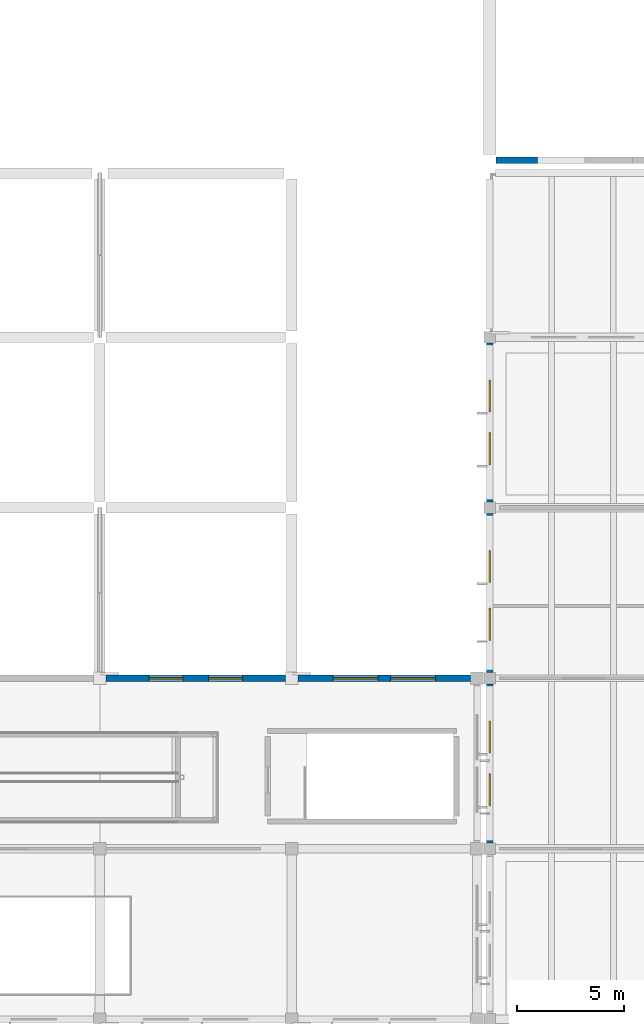
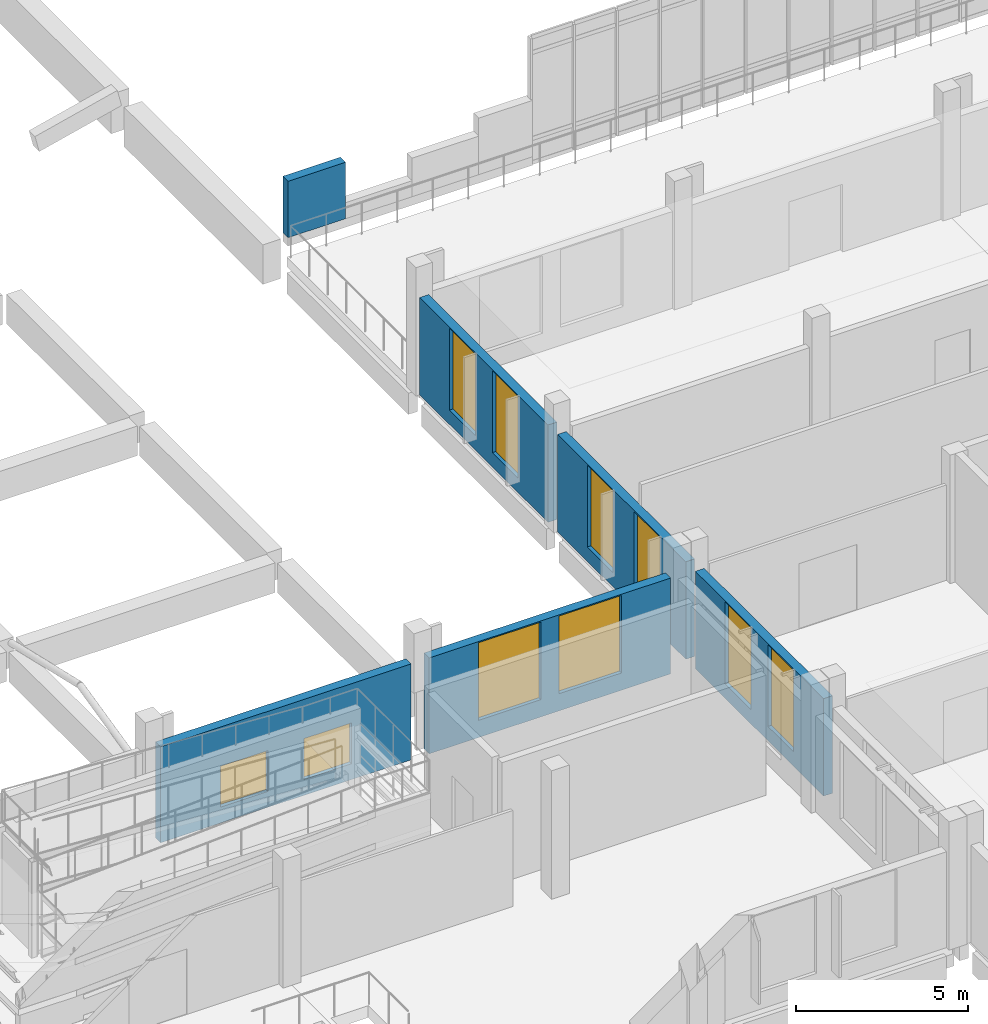
# One storey, part 36 of 63: 10 windows, 6 walls, 10 openings.
"""IFC4 building model written with IfcOpenShell, lengths in metres."""

from ifc_helpers import new_model, si_unit, direction, frame, frame_2d, origin, place, context, subcontext, project, spatial, rectangle, extrude, material, layer, layer_set, type_object, element, fill, save


model = new_model("IFC4")

# Units and contexts
model_context = context("Model", 3, precision=1e-05, world=origin(), true_north=direction((0.0, 1.0)))
body_context = subcontext(model_context, "Body", "Model", "MODEL_VIEW")
ifc_project = project(units=[si_unit("LENGTHUNIT", "METRE"), si_unit("AREAUNIT", "SQUARE_METRE"), si_unit("VOLUMEUNIT", "CUBIC_METRE"), si_unit("PLANEANGLEUNIT", "RADIAN"), si_unit("MASSUNIT", "GRAM", prefix="KILO")], contexts=[model_context])

# Site, building, storey
site_placement = place(None, origin())
site = spatial("IfcSite", under=ifc_project, at=site_placement, CompositionType="ELEMENT")
building_placement = place(site_placement, origin())
building = spatial("IfcBuilding", under=site, at=building_placement, Name="Zacnel Wholesale Market", CompositionType="ELEMENT")
storey_placement = place(building_placement, frame((0.0, 0.0, 11.199951171875)))
storey = spatial("IfcBuildingStorey", under=building, at=storey_placement, Name="L03", CompositionType="ELEMENT", Elevation=11.199951171875)

# Wall, openings, windows
ifc_material_1 = material(Name="Precast concrete C40/50 (Cancun limestone aggregate)", Category="masonry")
ifc_layer = layer(ifc_material_1, 0.300048828125)
ifc_layer_set = layer_set([ifc_layer], Name="Precast concrete C40/50 (Cancun limestone aggregate)")
wall_type = type_object("IfcWallType", Name="WL-EXT-LIME-300", PredefinedType="SOLIDWALL", material=ifc_layer_set)
wall_1_placement = place(storey_placement, frame((126.300048828125, 24.0, 0.0), z_axis=(0.0, 0.0, 1.0), x_axis=(1.0, 0.0, 0.0)))
wall_1 = element("IfcWall", 1, at=wall_1_placement, inside=storey, type_object=wall_type, Name="Exterior wall L03-0372", PredefinedType="SOLIDWALL", context=body_context, shape_type="SweptSolid", body=[
    extrude(rectangle(XDim=8.39990234375, YDim=0.300048828125, at=frame_2d((4.199951171875, 0.0))), origin(), (0.0, 0.0, 1.0), 3.400146484375),
])
opening_1_placement = place(wall_1_placement, frame((2.0, 0.0, 0.56005859375)))
opening_1 = element("IfcOpeningElement", 2, at=opening_1_placement, cuts=wall_1, Name="Opening W-06", PredefinedType="OPENING", context=body_context, shape_type="SweptSolid", body=[
    extrude(rectangle(XDim=1.60009765625, YDim=1.449951171875, at=frame_2d((0.800048828125, 0.72509765625))), frame((0.0, 0.159912109375, 0.0), z_axis=(0.0, -1.0, 0.0), x_axis=(1.0, 0.0, 0.0)), (0.0, 0.0, 1.0), 0.320068359375),
])
opening_2_placement = place(wall_1_placement, frame((4.800048828125, 0.0, 0.56005859375)))
opening_2 = element("IfcOpeningElement", 3, at=opening_2_placement, cuts=wall_1, Name="Opening W-06", PredefinedType="OPENING", context=body_context, shape_type="SweptSolid", body=[
    extrude(rectangle(XDim=1.60009765625, YDim=1.449951171875, at=frame_2d((0.800048828125, 0.72509765625))), frame((0.0, 0.159912109375, 0.0), z_axis=(0.0, -1.0, 0.0), x_axis=(1.0, 0.0, 0.0)), (0.0, 0.0, 1.0), 0.320068359375),
])
ifc_material_2 = material(Name="Laminated hurricane-impact low-E insulated glass", Category="glass")
window_type_1 = type_object("IfcWindowType", Name="WIN-HIG-1600X1450", PartitioningType="DOUBLE_PANEL_HORIZONTAL", PredefinedType="WINDOW", material=ifc_material_2)
window_1_placement = place(opening_1_placement, origin())
window_1 = element("IfcWindow", 4, at=window_1_placement, inside=storey, type_object=window_type_1, Name="Window L03-0375", OverallHeight=1.449951171875, OverallWidth=1.60009765625, PartitioningType="DOUBLE_PANEL_HORIZONTAL", PredefinedType="WINDOW", context=body_context, shape_type="SweptSolid", body=[
    extrude(rectangle(XDim=1.60009765625, YDim=1.449951171875, at=frame_2d((0.800048828125, 0.72509765625))), frame((0.0, 0.030029296875, 0.0), z_axis=(0.0, -1.0, 0.0), x_axis=(1.0, 0.0, 0.0)), (0.0, 0.0, 1.0), 0.06005859375),
])
fill(opening_1, window_1)
window_2_placement = place(opening_2_placement, origin())
window_2 = element("IfcWindow", 5, at=window_2_placement, inside=storey, type_object=window_type_1, Name="Window L03-0376", OverallHeight=1.449951171875, OverallWidth=1.60009765625, PartitioningType="DOUBLE_PANEL_HORIZONTAL", PredefinedType="WINDOW", context=body_context, shape_type="SweptSolid", body=[
    extrude(rectangle(XDim=1.60009765625, YDim=1.449951171875, at=frame_2d((0.800048828125, 0.72509765625))), frame((0.0, 0.030029296875, 0.0), z_axis=(0.0, -1.0, 0.0), x_axis=(1.0, 0.0, 0.0)), (0.0, 0.0, 1.0), 0.06005859375),
])
fill(opening_2, window_2)

wall_2_placement = place(storey_placement, frame((135.300048828125, 24.0, 0.0), z_axis=(0.0, 0.0, 1.0), x_axis=(1.0, 0.0, 0.0)))
wall_2 = element("IfcWall", 6, at=wall_2_placement, inside=storey, type_object=wall_type, Name="Exterior wall L03-0373", PredefinedType="SOLIDWALL", context=body_context, shape_type="SweptSolid", body=[
    extrude(rectangle(XDim=8.099853515625, YDim=0.300048828125, at=frame_2d((4.0498046875, 0.0))), origin(), (0.0, 0.0, 1.0), 3.400146484375),
])
opening_3_placement = place(wall_2_placement, frame((1.64990234375, 0.0, 0.610107421875)))
opening_3 = element("IfcOpeningElement", 7, at=opening_3_placement, cuts=wall_2, Name="Opening W-05", PredefinedType="OPENING", context=body_context, shape_type="SweptSolid", body=[
    extrude(rectangle(XDim=2.10009765625, YDim=2.75, at=frame_2d((1.050048828125, 1.375))), frame((0.0, 0.159912109375, 0.0), z_axis=(0.0, -1.0, 0.0), x_axis=(1.0, 0.0, 0.0)), (0.0, 0.0, 1.0), 0.320068359375),
])
opening_4_placement = place(wall_2_placement, frame((4.35009765625, 0.0, 0.610107421875)))
opening_4 = element("IfcOpeningElement", 8, at=opening_4_placement, cuts=wall_2, Name="Opening W-05", PredefinedType="OPENING", context=body_context, shape_type="SweptSolid", body=[
    extrude(rectangle(XDim=2.10009765625, YDim=2.75, at=frame_2d((1.050048828125, 1.375))), frame((0.0, 0.159912109375, 0.0), z_axis=(0.0, -1.0, 0.0), x_axis=(1.0, 0.0, 0.0)), (0.0, 0.0, 1.0), 0.320068359375),
])
ifc_material_3 = material(Name="Laminated hurricane-impact low-E insulated glass", Category="glass")
window_type_2 = type_object("IfcWindowType", Name="WIN-LAB-2100X2750", PartitioningType="DOUBLE_PANEL_VERTICAL", PredefinedType="WINDOW", material=ifc_material_3)
window_3_placement = place(opening_3_placement, origin())
window_3 = element("IfcWindow", 9, at=window_3_placement, inside=storey, type_object=window_type_2, Name="Window L03-0377", OverallHeight=2.75, OverallWidth=2.10009765625, PartitioningType="DOUBLE_PANEL_VERTICAL", PredefinedType="WINDOW", context=body_context, shape_type="SweptSolid", body=[
    extrude(rectangle(XDim=2.10009765625, YDim=2.75, at=frame_2d((1.050048828125, 1.375))), frame((0.0, 0.030029296875, 0.0), z_axis=(0.0, -1.0, 0.0), x_axis=(1.0, 0.0, 0.0)), (0.0, 0.0, 1.0), 0.06005859375),
])
fill(opening_3, window_3)
window_4_placement = place(opening_4_placement, origin())
window_4 = element("IfcWindow", 10, at=window_4_placement, inside=storey, type_object=window_type_2, Name="Window L03-0378", OverallHeight=2.75, OverallWidth=2.10009765625, PartitioningType="DOUBLE_PANEL_VERTICAL", PredefinedType="WINDOW", context=body_context, shape_type="SweptSolid", body=[
    extrude(rectangle(XDim=2.10009765625, YDim=2.75, at=frame_2d((1.050048828125, 1.375))), frame((0.0, 0.030029296875, 0.0), z_axis=(0.0, -1.0, 0.0), x_axis=(1.0, 0.0, 0.0)), (0.0, 0.0, 1.0), 0.06005859375),
])
fill(opening_4, window_4)

wall_3_placement = place(storey_placement, frame((144.300048828125, 16.27490234375, 0.0), z_axis=(0.0, 0.0, 1.0), x_axis=(0.0, 1.0, 0.0)))
wall_3 = element("IfcWall", 11, at=wall_3_placement, inside=storey, type_object=wall_type, Name="Exterior wall L03-0393", PredefinedType="SOLIDWALL", context=body_context, shape_type="SweptSolid", body=[
    extrude(rectangle(XDim=7.4501953125, YDim=0.300048828125, at=frame_2d((3.72509765625, 0.0))), origin(), (0.0, 0.0, 1.0), 3.449951171875),
])
opening_5_placement = place(wall_3_placement, frame((1.73291015625, 0.0, 0.510009765625)))
opening_5 = element("IfcOpeningElement", 12, at=opening_5_placement, cuts=wall_3, Name="Opening W-04", PredefinedType="OPENING", context=body_context, shape_type="SweptSolid", body=[
    extrude(rectangle(XDim=1.5, YDim=2.89990234375, at=frame_2d((0.75, 1.449951171875))), frame((0.0, 0.159912109375, 0.0), z_axis=(0.0, -1.0, 0.0), x_axis=(1.0, 0.0, 0.0)), (0.0, 0.0, 1.0), 0.320068359375),
])
opening_6_placement = place(wall_3_placement, frame((4.217041015625, 0.0, 0.510009765625)))
opening_6 = element("IfcOpeningElement", 13, at=opening_6_placement, cuts=wall_3, Name="Opening W-04", PredefinedType="OPENING", context=body_context, shape_type="SweptSolid", body=[
    extrude(rectangle(XDim=1.5, YDim=2.89990234375, at=frame_2d((0.75, 1.449951171875))), frame((0.0, 0.159912109375, 0.0), z_axis=(0.0, -1.0, 0.0), x_axis=(1.0, 0.0, 0.0)), (0.0, 0.0, 1.0), 0.320068359375),
])
ifc_material_4 = material(Name="Laminated hurricane-impact low-E insulated glass", Category="glass")
window_type_3 = type_object("IfcWindowType", Name="WIN-DEC-1500X2900", PartitioningType="DOUBLE_PANEL_VERTICAL", PredefinedType="WINDOW", material=ifc_material_4)
window_5_placement = place(opening_5_placement, origin())
window_5 = element("IfcWindow", 14, at=window_5_placement, inside=storey, type_object=window_type_3, Name="Window L03-0411", OverallHeight=2.89990234375, OverallWidth=1.5, PartitioningType="DOUBLE_PANEL_VERTICAL", PredefinedType="WINDOW", context=body_context, shape_type="SweptSolid", body=[
    extrude(rectangle(XDim=1.5, YDim=2.89990234375, at=frame_2d((0.75, 1.449951171875))), frame((0.0, 0.030029296875, 0.0), z_axis=(0.0, -1.0, 0.0), x_axis=(1.0, 0.0, 0.0)), (0.0, 0.0, 1.0), 0.06005859375),
])
fill(opening_5, window_5)
window_6_placement = place(opening_6_placement, origin())
window_6 = element("IfcWindow", 15, at=window_6_placement, inside=storey, type_object=window_type_3, Name="Window L03-0412", OverallHeight=2.89990234375, OverallWidth=1.5, PartitioningType="DOUBLE_PANEL_VERTICAL", PredefinedType="WINDOW", context=body_context, shape_type="SweptSolid", body=[
    extrude(rectangle(XDim=1.5, YDim=2.89990234375, at=frame_2d((0.75, 1.449951171875))), frame((0.0, 0.030029296875, 0.0), z_axis=(0.0, -1.0, 0.0), x_axis=(1.0, 0.0, 0.0)), (0.0, 0.0, 1.0), 0.06005859375),
])
fill(opening_6, window_6)

wall_4_placement = place(storey_placement, frame((144.300048828125, 24.27490234375, 0.0), z_axis=(0.0, 0.0, 1.0), x_axis=(0.0, 1.0, 0.0)))
wall_4 = element("IfcWall", 16, at=wall_4_placement, inside=storey, type_object=wall_type, Name="Exterior wall L03-0394", PredefinedType="SOLIDWALL", context=body_context, shape_type="SweptSolid", body=[
    extrude(rectangle(XDim=7.4501953125, YDim=0.300048828125, at=frame_2d((3.72509765625, 0.0))), origin(), (0.0, 0.0, 1.0), 3.449951171875),
])
opening_7_placement = place(wall_4_placement, frame((1.5048828125, 0.0, 0.510009765625)))
opening_7 = element("IfcOpeningElement", 17, at=opening_7_placement, cuts=wall_4, Name="Opening W-04", PredefinedType="OPENING", context=body_context, shape_type="SweptSolid", body=[
    extrude(rectangle(XDim=1.5, YDim=2.89990234375, at=frame_2d((0.75, 1.449951171875))), frame((0.0, 0.159912109375, 0.0), z_axis=(0.0, -1.0, 0.0), x_axis=(1.0, 0.0, 0.0)), (0.0, 0.0, 1.0), 0.320068359375),
])
opening_8_placement = place(wall_4_placement, frame((4.217041015625, 0.0, 0.510009765625)))
opening_8 = element("IfcOpeningElement", 18, at=opening_8_placement, cuts=wall_4, Name="Opening W-04", PredefinedType="OPENING", context=body_context, shape_type="SweptSolid", body=[
    extrude(rectangle(XDim=1.5, YDim=2.89990234375, at=frame_2d((0.75, 1.449951171875))), frame((0.0, 0.159912109375, 0.0), z_axis=(0.0, -1.0, 0.0), x_axis=(1.0, 0.0, 0.0)), (0.0, 0.0, 1.0), 0.320068359375),
])
window_7_placement = place(opening_7_placement, origin())
window_7 = element("IfcWindow", 19, at=window_7_placement, inside=storey, type_object=window_type_3, Name="Window L03-0413", OverallHeight=2.89990234375, OverallWidth=1.5, PartitioningType="DOUBLE_PANEL_VERTICAL", PredefinedType="WINDOW", context=body_context, shape_type="SweptSolid", body=[
    extrude(rectangle(XDim=1.5, YDim=2.89990234375, at=frame_2d((0.75, 1.449951171875))), frame((0.0, 0.030029296875, 0.0), z_axis=(0.0, -1.0, 0.0), x_axis=(1.0, 0.0, 0.0)), (0.0, 0.0, 1.0), 0.06005859375),
])
fill(opening_7, window_7)
window_8_placement = place(opening_8_placement, origin())
window_8 = element("IfcWindow", 20, at=window_8_placement, inside=storey, type_object=window_type_3, Name="Window L03-0414", OverallHeight=2.89990234375, OverallWidth=1.5, PartitioningType="DOUBLE_PANEL_VERTICAL", PredefinedType="WINDOW", context=body_context, shape_type="SweptSolid", body=[
    extrude(rectangle(XDim=1.5, YDim=2.89990234375, at=frame_2d((0.75, 1.449951171875))), frame((0.0, 0.030029296875, 0.0), z_axis=(0.0, -1.0, 0.0), x_axis=(1.0, 0.0, 0.0)), (0.0, 0.0, 1.0), 0.06005859375),
])
fill(opening_8, window_8)

wall_5_placement = place(storey_placement, frame((144.300048828125, 32.27490234375, 0.0), z_axis=(0.0, 0.0, 1.0), x_axis=(0.0, 1.0, 0.0)))
wall_5 = element("IfcWall", 21, at=wall_5_placement, inside=storey, type_object=wall_type, Name="Exterior wall L03-0395", PredefinedType="SOLIDWALL", context=body_context, shape_type="SweptSolid", body=[
    extrude(rectangle(XDim=7.4501953125, YDim=0.300048828125, at=frame_2d((3.72509765625, 0.0))), origin(), (0.0, 0.0, 1.0), 3.449951171875),
])
opening_9_placement = place(wall_5_placement, frame((1.73291015625, 0.0, 0.510009765625)))
opening_9 = element("IfcOpeningElement", 22, at=opening_9_placement, cuts=wall_5, Name="Opening W-04", PredefinedType="OPENING", context=body_context, shape_type="SweptSolid", body=[
    extrude(rectangle(XDim=1.5, YDim=2.89990234375, at=frame_2d((0.75, 1.449951171875))), frame((0.0, 0.159912109375, 0.0), z_axis=(0.0, -1.0, 0.0), x_axis=(1.0, 0.0, 0.0)), (0.0, 0.0, 1.0), 0.320068359375),
])
opening_10_placement = place(wall_5_placement, frame((4.217041015625, 0.0, 0.510009765625)))
opening_10 = element("IfcOpeningElement", 23, at=opening_10_placement, cuts=wall_5, Name="Opening W-04", PredefinedType="OPENING", context=body_context, shape_type="SweptSolid", body=[
    extrude(rectangle(XDim=1.5, YDim=2.89990234375, at=frame_2d((0.75, 1.449951171875))), frame((0.0, 0.159912109375, 0.0), z_axis=(0.0, -1.0, 0.0), x_axis=(1.0, 0.0, 0.0)), (0.0, 0.0, 1.0), 0.320068359375),
])
window_9_placement = place(opening_9_placement, origin())
window_9 = element("IfcWindow", 24, at=window_9_placement, inside=storey, type_object=window_type_3, Name="Window L03-0415", OverallHeight=2.89990234375, OverallWidth=1.5, PartitioningType="DOUBLE_PANEL_VERTICAL", PredefinedType="WINDOW", context=body_context, shape_type="SweptSolid", body=[
    extrude(rectangle(XDim=1.5, YDim=2.89990234375, at=frame_2d((0.75, 1.449951171875))), frame((0.0, 0.030029296875, 0.0), z_axis=(0.0, -1.0, 0.0), x_axis=(1.0, 0.0, 0.0)), (0.0, 0.0, 1.0), 0.06005859375),
])
fill(opening_9, window_9)
window_10_placement = place(opening_10_placement, origin())
window_10 = element("IfcWindow", 25, at=window_10_placement, inside=storey, type_object=window_type_3, Name="Window L03-0416", OverallHeight=2.89990234375, OverallWidth=1.5, PartitioningType="DOUBLE_PANEL_VERTICAL", PredefinedType="WINDOW", context=body_context, shape_type="SweptSolid", body=[
    extrude(rectangle(XDim=1.5, YDim=2.89990234375, at=frame_2d((0.75, 1.449951171875))), frame((0.0, 0.030029296875, 0.0), z_axis=(0.0, -1.0, 0.0), x_axis=(1.0, 0.0, 0.0)), (0.0, 0.0, 1.0), 0.06005859375),
])
fill(opening_10, window_10)

# Wall
wall_6_placement = place(storey_placement, frame((144.60009765625, 48.300048828125, 0.300048828125), z_axis=(0.0, 0.0, 1.0), x_axis=(1.0, 0.0, 0.0)))
element("IfcWall", 26, at=wall_6_placement, inside=storey, type_object=wall_type, Name="Barrel-shell gable limestone tympanum E-S-1", PredefinedType="SOLIDWALL", context=body_context, shape_type="SweptSolid", body=[
    extrude(rectangle(XDim=1.93115234375, YDim=0.300048828125, at=frame_2d((0.965576171875, 0.0))), origin(), (0.0, 0.0, 1.0), 2.0),
])

save(model, "model.ifc")
